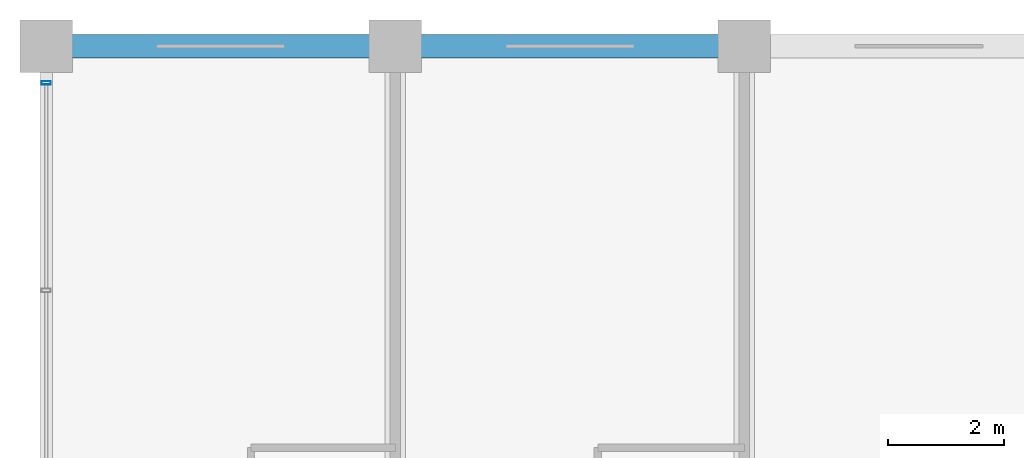
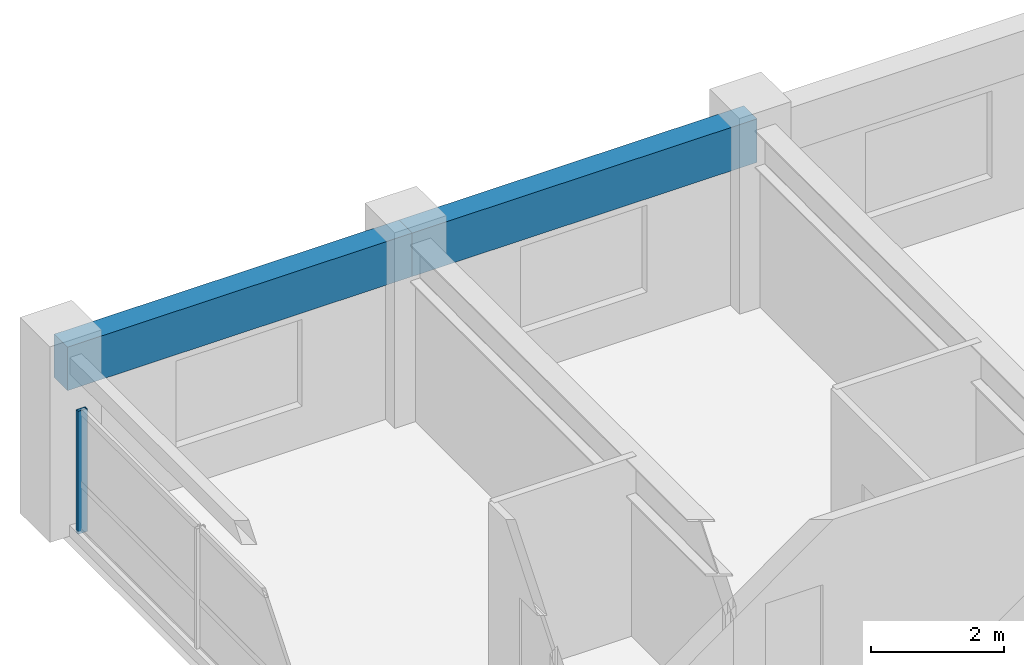
# One storey, part 10 of 22: 2 beams, 1 member, 1 element without a shape of its own.
"""IFC4 building model written with IfcOpenShell, lengths in metres."""

from ifc_helpers import new_model, si_unit, direction, frame, origin, origin_2d, place, context, subcontext, project, spatial, rectangle, hollow_rectangle, extrude, material, material_profile, profile_set, type_object, element, aggregate, save


model = new_model("IFC4")

# Units and contexts
model_context = context("Model", 3, precision=1e-05, world=origin(), true_north=direction((0.0, 1.0)))
body_context = subcontext(model_context, "Body", "Model", "MODEL_VIEW")
ifc_project = project(units=[si_unit("LENGTHUNIT", "METRE"), si_unit("AREAUNIT", "SQUARE_METRE"), si_unit("VOLUMEUNIT", "CUBIC_METRE"), si_unit("PLANEANGLEUNIT", "RADIAN"), si_unit("MASSUNIT", "GRAM", prefix="KILO")], contexts=[model_context])

# Site, building, storey
site_placement = place(None, origin())
site = spatial("IfcSite", under=ifc_project, at=site_placement, CompositionType="ELEMENT")
building_placement = place(site_placement, origin())
building = spatial("IfcBuilding", under=site, at=building_placement, Name="Kaldorvane Square Convention Centre", CompositionType="ELEMENT")
storey_placement = place(building_placement, frame((0.0, 0.0, 34.80000305175781)))
storey = spatial("IfcBuildingStorey", under=building, at=storey_placement, Name="L07", CompositionType="ELEMENT", Elevation=34.80000305175781)

# Beams
ifc_material_1 = material(Name="Concrete f'c = 42 MPa (Normalweight)", Category="concrete")
ifc_material_profile_1 = material_profile(ifc_material_1, rectangle(XDim=0.399993896484375, YDim=0.8000030517578125, at=origin_2d()), Name="RCSP800X400")
ifc_profile_set_1 = profile_set([ifc_material_profile_1], Name="Concrete f'c = 42 MPa (Normalweight)")
beam_type = type_object("IfcBeamType", Name="BM-SP-RC800", PredefinedType="SPANDREL", material=ifc_profile_set_1)
for number, where, z_axis, x_axis, name in (
    (1, (24.0, 117.0, 2.8860015869140625), (1.0, 0.0, 0.0), (0.0, 1.0, 0.0), "Perimeter Spandrel (L07)"),
    (2, (30.0, 117.0, 2.8860015869140625), (1.0, 0.0, 0.0), (0.0, 1.0, 0.0), "Perimeter Spandrel (L07)"),
):
    element("IfcBeam", number, at=place(storey_placement, frame(where, z_axis=z_axis, x_axis=x_axis)), inside=storey, type_object=beam_type, Name=name, PredefinedType="SPANDREL", context=body_context, shape_type="SweptSolid", body=[
        extrude(rectangle(XDim=0.399993896484375, YDim=0.8000030517578125, at=origin_2d()), origin(), (0.0, 0.0, 1.0), 6.0),
    ])

# Curtain wall, member
ifc_material_2 = material(Name="Anodized Aluminum and Low-E Insulated Glazing", Category="aluminium")
curtain_wall_type = type_object("IfcCurtainWallType", Name="CW-UNI-HTL-B", PredefinedType="USERDEFINED", material=ifc_material_2)
curtain_wall_placement = place(storey_placement, origin())
curtain_wall = element("IfcCurtainWall", 3, at=curtain_wall_placement, inside=storey, type_object=curtain_wall_type, Name="Curtain Wall CW-11 (L07)", ObjectType="UNITISED GLAZING", PredefinedType="USERDEFINED")
ifc_material_profile_2 = material_profile(ifc_material_2, hollow_rectangle(XDim=0.05999755859375, YDim=0.160003662109375, WallThickness=0.003204345703125, at=origin_2d()), Name="CWM-160X60")
ifc_profile_set_2 = profile_set([ifc_material_profile_2], Name="Anodized Aluminum and Low-E Insulated Glazing")
member_type = type_object("IfcMemberType", Name="CW-MUL-160", PredefinedType="MULLION", material=ifc_profile_set_2)
member_placement = place(storey_placement, frame((24.0, 116.3699951171875, 0.149993896484375), z_axis=(0.0, 0.0, 1.0), x_axis=(0.0, -1.0, 0.0)))
member = element("IfcMember", 4, at=member_placement, type_object=member_type, Name="CW-11 mullion 1", PredefinedType="MULLION", context=body_context, shape_type="SweptSolid", body=[
    extrude(hollow_rectangle(XDim=0.05999755859375, YDim=0.160003662109375, WallThickness=0.003204345703125, at=origin_2d()), origin(), (0.0, 0.0, 1.0), 2.260009765625),
])
aggregate(curtain_wall, [member])

save(model, "model.ifc")
